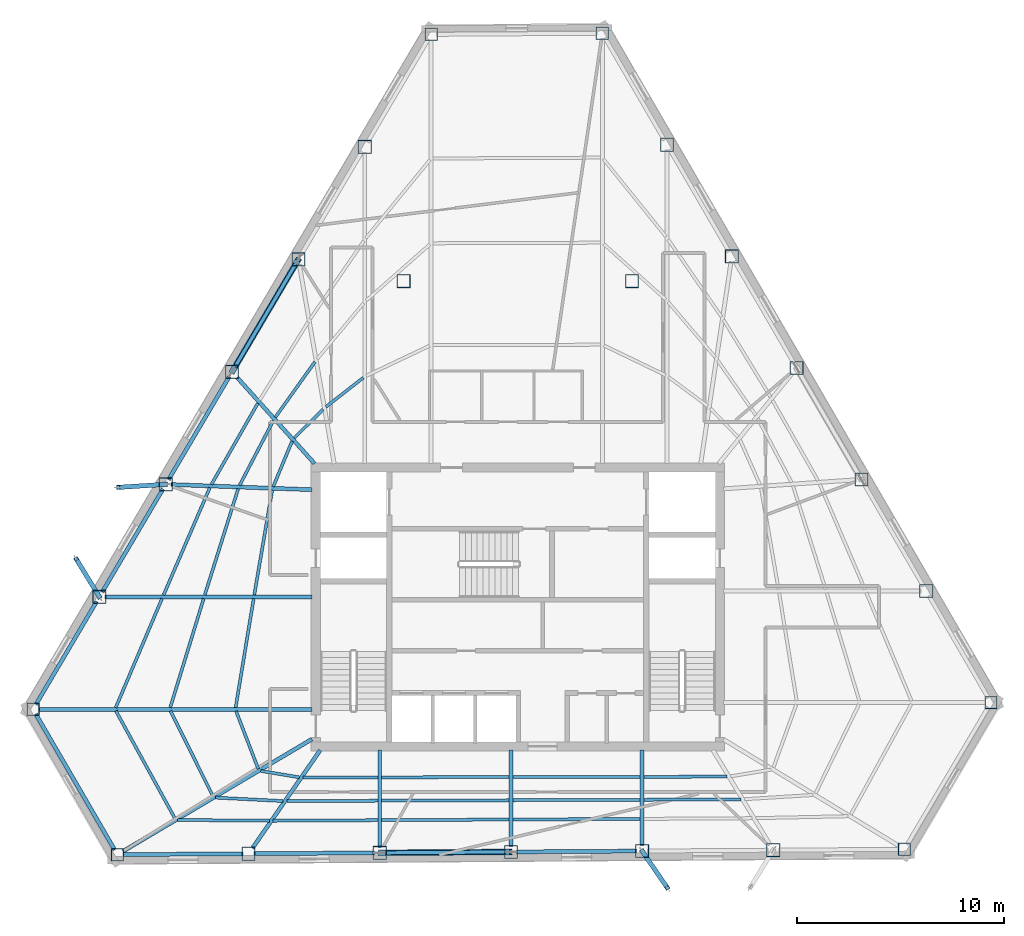
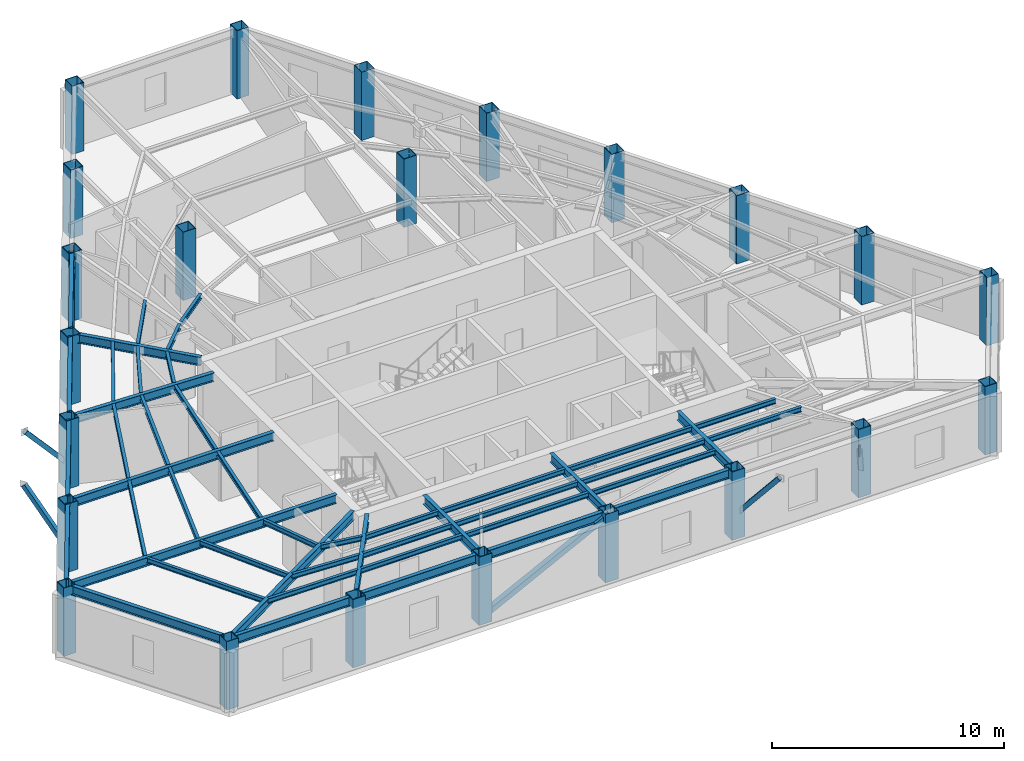
# One storey, part 1 of 10: 47 beams, 23 columns, 5 members.
"""IFC4 building model written with IfcOpenShell, lengths in metres."""

from ifc_helpers import new_model, si_unit, direction, frame, origin, origin_2d, place, context, subcontext, project, spatial, hollow_rectangle, i_section, extrude, material, material_profile, profile_set, type_object, element, save


model = new_model("IFC4")

# Units and contexts
model_context = context("Model", 3, precision=1e-05, world=origin(), true_north=direction((0.0, 1.0)))
body_context = subcontext(model_context, "Body", "Model", "MODEL_VIEW")
ifc_project = project(units=[si_unit("LENGTHUNIT", "METRE"), si_unit("AREAUNIT", "SQUARE_METRE"), si_unit("VOLUMEUNIT", "CUBIC_METRE"), si_unit("PLANEANGLEUNIT", "RADIAN"), si_unit("MASSUNIT", "GRAM", prefix="KILO")], contexts=[model_context])

# Site, building, storey
site_placement = place(None, origin())
site = spatial("IfcSite", under=ifc_project, at=site_placement, CompositionType="ELEMENT")
building_placement = place(site_placement, origin())
building = spatial("IfcBuilding", under=site, at=building_placement, Name="Kavelnor Concourse Tower", CompositionType="ELEMENT")
storey_placement = place(building_placement, frame((0.0, 0.0, 211.199951171875)))
storey = spatial("IfcBuildingStorey", under=building, at=storey_placement, Name="L53", CompositionType="ELEMENT", Elevation=211.199951171875)

# Columns
ifc_material = material(Name="Steel Grade 350", Category="steel")
ifc_material_profile_1 = material_profile(ifc_material, hollow_rectangle(XDim=0.60009765625, YDim=0.60009765625, WallThickness=0.028076171875, at=origin_2d()), Name="SHS 600x600x28")
ifc_profile_set_1 = profile_set([ifc_material_profile_1], Name="Steel Grade 350")
column_type_1 = type_object("IfcColumnType", Name="COL-FOLD-Z3", PredefinedType="COLUMN", material=ifc_profile_set_1)
for number, where, z_axis, x_axis, name in (
    (1, (33.823486328125, 43.693115234375, 0.0), (0.0, 0.0, 1.0), (1.0, 0.0, 0.0), "L53 Perimeter Corner-Fold Column F0-B0"),
    (2, (14.63671875, 11.1650390625, 0.0), (0.0, 0.0, 1.0), (1.0, 0.0, 0.0), "L53 Perimeter Corner-Fold Column F0-B6"),
    (3, (18.70361328125, 4.16162109375, 0.0), (0.0, 0.0, 1.0), (1.0, 0.0, 0.0), "L53 Perimeter Corner-Fold Column F1-B0"),
    (4, (56.635498046875, 4.41943359375, 0.0), (0.0, 0.0, 1.0), (1.0, 0.0, 0.0), "L53 Perimeter Corner-Fold Column F1-B6"),
    (5, (60.806396484375, 11.490478515625, 0.0), (0.0, 0.0, 1.0), (1.0, 0.0, 0.0), "L53 Perimeter Corner-Fold Column F2-B0"),
    (6, (42.072998046875, 43.7490234375, 0.0), (0.0, 0.0, 1.0), (1.0, 0.0, 0.0), "L53 Perimeter Corner-Fold Column F2-B6"),
):
    element("IfcColumn", number, at=place(storey_placement, frame(where, z_axis=z_axis, x_axis=x_axis)), inside=storey, type_object=column_type_1, Name=name, PredefinedType="COLUMN", context=body_context, shape_type="SweptSolid", body=[
        extrude(hollow_rectangle(XDim=0.60009765625, YDim=0.60009765625, WallThickness=0.028076171875, at=origin_2d()), origin(), (0.0, 0.0, 1.0), 3.60009765625),
    ])
ifc_material_profile_2 = material_profile(ifc_material, hollow_rectangle(XDim=0.639892578125, YDim=0.639892578125, WallThickness=0.028076171875, at=origin_2d()), Name="SHS 640x640x28")
ifc_profile_set_2 = profile_set([ifc_material_profile_2], Name="Steel Grade 350")
column_type_2 = type_object("IfcColumnType", Name="COL-TUBE-Z3", PredefinedType="COLUMN", material=ifc_profile_set_2)
for number, where, z_axis, x_axis, name in (
    (7, (30.62548828125, 38.271728515625, 0.0), (0.0, 0.0, 1.0), (1.0, 0.0, 0.0), "L53 Perimeter Framed-Tube Column F0-B1"),
    (8, (27.427734375, 32.850341796875, 0.0), (0.0, 0.0, 1.0), (1.0, 0.0, 0.0), "L53 Perimeter Framed-Tube Column F0-B2"),
    (9, (24.22998046875, 27.42919921875, 0.0), (0.0, 0.0, 1.0), (1.0, 0.0, 0.0), "L53 Perimeter Framed-Tube Column F0-B3"),
    (10, (21.0322265625, 22.0078125, 0.0), (0.0, 0.0, 1.0), (1.0, 0.0, 0.0), "L53 Perimeter Framed-Tube Column F0-B4"),
    (11, (17.83447265625, 16.58642578125, 0.0), (0.0, 0.0, 1.0), (1.0, 0.0, 0.0), "L53 Perimeter Framed-Tube Column F0-B5"),
    (12, (25.025634765625, 4.20458984375, 0.0), (0.0, 0.0, 1.0), (1.0, 0.0, 0.0), "L53 Perimeter Framed-Tube Column F1-B1"),
    (13, (31.34765625, 4.24755859375, 0.0), (0.0, 0.0, 1.0), (1.0, 0.0, 0.0), "L53 Perimeter Framed-Tube Column F1-B2"),
    (14, (37.669677734375, 4.290283203125, 0.0), (0.0, 0.0, 1.0), (1.0, 0.0, 0.0), "L53 Perimeter Framed-Tube Column F1-B3"),
    (15, (43.99169921875, 4.33349609375, 0.0), (0.0, 0.0, 1.0), (1.0, 0.0, 0.0), "L53 Perimeter Framed-Tube Column F1-B4"),
    (16, (50.313720703125, 4.37646484375, 0.0), (0.0, 0.0, 1.0), (1.0, 0.0, 0.0), "L53 Perimeter Framed-Tube Column F1-B5"),
    (17, (57.68408203125, 16.866943359375, 0.0), (0.0, 0.0, 1.0), (1.0, 0.0, 0.0), "L53 Perimeter Framed-Tube Column F2-B1"),
    (18, (54.56201171875, 22.243408203125, 0.0), (0.0, 0.0, 1.0), (1.0, 0.0, 0.0), "L53 Perimeter Framed-Tube Column F2-B2"),
    (19, (51.439697265625, 27.619873046875, 0.0), (0.0, 0.0, 1.0), (1.0, 0.0, 0.0), "L53 Perimeter Framed-Tube Column F2-B3"),
    (20, (48.3173828125, 32.99609375, 0.0), (0.0, 0.0, 1.0), (1.0, 0.0, 0.0), "L53 Perimeter Framed-Tube Column F2-B4"),
    (21, (45.195068359375, 38.372802734375, 0.0), (0.0, 0.0, 1.0), (1.0, 0.0, 0.0), "L53 Perimeter Framed-Tube Column F2-B5"),
    (22, (32.5, 31.800048828125, 0.0), (0.0, 0.0, 1.0), (1.0, 0.0, 0.0), "L53 North Interior Gravity Column BC-NW"),
    (23, (43.5, 31.800048828125, 0.0), (0.0, 0.0, 1.0), (1.0, 0.0, 0.0), "L53 North Interior Gravity Column BC-NE"),
):
    element("IfcColumn", number, at=place(storey_placement, frame(where, z_axis=z_axis, x_axis=x_axis)), inside=storey, type_object=column_type_2, Name=name, PredefinedType="COLUMN", context=body_context, shape_type="SweptSolid", body=[
        extrude(hollow_rectangle(XDim=0.639892578125, YDim=0.639892578125, WallThickness=0.028076171875, at=origin_2d()), origin(), (0.0, 0.0, 1.0), 3.60009765625),
    ])

# Beams
ifc_material_profile_3 = material_profile(ifc_material, i_section(OverallWidth=0.14599609375, OverallDepth=0.256103515625, WebThickness=0.00634765625, FlangeThickness=0.010986328125, at=origin_2d()), Name="250UB37")
ifc_profile_set_3 = profile_set([ifc_material_profile_3], Name="Steel Grade 350")
beam_type_1 = type_object("IfcBeamType", Name="BM-JOIST-250", PredefinedType="JOIST", material=ifc_profile_set_3)
beam_1_placement = place(storey_placement, frame((24.420654296875, 11.08203125, 3.47216796875), z_axis=(0.359011944525, -0.933332965071, 0.0), x_axis=(0.933332965071, 0.359011944525, 0.0)))
element("IfcBeam", 24, at=beam_1_placement, inside=storey, type_object=beam_type_1, Name="L53 Secondary Composite Joist 01-1", PredefinedType="JOIST", context=body_context, shape_type="SweptSolid", body=[
    extrude(i_section(OverallWidth=0.14599609375, OverallDepth=0.256103515625, WebThickness=0.00634765625, FlangeThickness=0.010986328125, at=origin_2d()), origin(), (0.0, 0.0, 1.0), 2.98681640625),
])
beam_2_placement = place(storey_placement, frame((21.264404296875, 11.08544921875, 3.47216796875), z_axis=(0.44541777568, -0.895322849652, 0.0), x_axis=(0.895322849652, 0.44541777568, 0.0)))
element("IfcBeam", 25, at=beam_2_placement, inside=storey, type_object=beam_type_1, Name="L53 Secondary Composite Joist 01-2", PredefinedType="JOIST", context=body_context, shape_type="SweptSolid", body=[
    extrude(i_section(OverallWidth=0.14599609375, OverallDepth=0.256103515625, WebThickness=0.00634765625, FlangeThickness=0.010986328125, at=origin_2d()), origin(), (0.0, 0.0, 1.0), 4.5703125),
])
beam_3_placement = place(storey_placement, frame((18.630859375, 11.087158203125, 3.47216796875), z_axis=(0.481661682568, -0.87635724653, 0.0), x_axis=(0.87635724653, 0.481661682568, 0.0)))
element("IfcBeam", 26, at=beam_3_placement, inside=storey, type_object=beam_type_1, Name="L53 Secondary Composite Joist 01-3", PredefinedType="JOIST", context=body_context, shape_type="SweptSolid", body=[
    extrude(i_section(OverallWidth=0.14599609375, OverallDepth=0.256103515625, WebThickness=0.00634765625, FlangeThickness=0.010986328125, at=origin_2d()), origin(), (0.0, 0.0, 1.0), 5.906494140625),
])
beam_4_placement = place(storey_placement, frame((25.61279296875, 8.196533203125, 3.47216796875), z_axis=(0.986320389312, -0.164839587562, 0.0), x_axis=(0.164839587562, 0.986320389312, 0.0)))
element("IfcBeam", 27, at=beam_4_placement, inside=storey, type_object=beam_type_1, Name="L53 Secondary Composite Joist 02-1", PredefinedType="JOIST", context=body_context, shape_type="SweptSolid", body=[
    extrude(i_section(OverallWidth=0.14599609375, OverallDepth=0.256103515625, WebThickness=0.00634765625, FlangeThickness=0.010986328125, at=origin_2d()), origin(), (0.0, 0.0, 1.0), 1.886962890625),
])
beam_5_placement = place(storey_placement, frame((23.4287109375, 6.909423828125, 3.47216796875), z_axis=(0.998690800157, -0.051153550045, 0.0), x_axis=(0.051153550045, 0.998690800157, 0.0)))
element("IfcBeam", 28, at=beam_5_placement, inside=storey, type_object=beam_type_1, Name="L53 Secondary Composite Joist 02-2", PredefinedType="JOIST", context=body_context, shape_type="SweptSolid", body=[
    extrude(i_section(OverallWidth=0.14599609375, OverallDepth=0.256103515625, WebThickness=0.00634765625, FlangeThickness=0.010986328125, at=origin_2d()), origin(), (0.0, 0.0, 1.0), 3.2646484375),
])
beam_6_placement = place(storey_placement, frame((21.607666015625, 5.83203125, 3.47216796875), z_axis=(0.999963484378, -0.008545753988, 0.0), x_axis=(0.008545753988, 0.999963484378, 0.0)))
element("IfcBeam", 29, at=beam_6_placement, inside=storey, type_object=beam_type_1, Name="L53 Secondary Composite Joist 02-3", PredefinedType="JOIST", context=body_context, shape_type="SweptSolid", body=[
    extrude(i_section(OverallWidth=0.14599609375, OverallDepth=0.256103515625, WebThickness=0.00634765625, FlangeThickness=0.010986328125, at=origin_2d()), origin(), (0.0, 0.0, 1.0), 4.42822265625),
])
beam_7_placement = place(storey_placement, frame((27.650634765625, 7.871337890625, 3.47216796875), z_axis=(0.99999203146, 0.003992119213, 0.0), x_axis=(-0.003992119213, 0.99999203146, 0.0)))
element("IfcBeam", 30, at=beam_7_placement, inside=storey, type_object=beam_type_1, Name="L53 Secondary Composite Joist 03-1", PredefinedType="JOIST", context=body_context, shape_type="SweptSolid", body=[
    extrude(i_section(OverallWidth=0.14599609375, OverallDepth=0.256103515625, WebThickness=0.00634765625, FlangeThickness=0.010986328125, at=origin_2d()), origin(), (0.0, 0.0, 1.0), 3.608154296875),
])
beam_8_placement = place(storey_placement, frame((26.86669921875, 6.73828125, 3.47216796875), z_axis=(0.99998830666, 0.004835963462, 0.0), x_axis=(-0.004835963462, 0.99998830666, 0.0)))
element("IfcBeam", 31, at=beam_8_placement, inside=storey, type_object=beam_type_1, Name="L53 Secondary Composite Joist 03-2", PredefinedType="JOIST", context=body_context, shape_type="SweptSolid", body=[
    extrude(i_section(OverallWidth=0.14599609375, OverallDepth=0.256103515625, WebThickness=0.00634765625, FlangeThickness=0.010986328125, at=origin_2d()), origin(), (0.0, 0.0, 1.0), 4.39208984375),
])
beam_9_placement = place(storey_placement, frame((26.213623046875, 5.7939453125, 3.47216796875), z_axis=(0.999985833084, 0.00532293451, 0.0), x_axis=(-0.00532293451, 0.999985833084, 0.0)))
element("IfcBeam", 32, at=beam_9_placement, inside=storey, type_object=beam_type_1, Name="L53 Secondary Composite Joist 03-3", PredefinedType="JOIST", context=body_context, shape_type="SweptSolid", body=[
    extrude(i_section(OverallWidth=0.14599609375, OverallDepth=0.256103515625, WebThickness=0.00634765625, FlangeThickness=0.010986328125, at=origin_2d()), origin(), (0.0, 0.0, 1.0), 5.045166015625),
])
for number, where, z_axis, x_axis, name in (
    (33, (31.436767578125, 7.88623046875, 3.47216796875), (0.999998181041, 0.001907331824, 0.0), (-0.001907331824, 0.999998181041, 0.0), "L53 Secondary Composite Joist 04-1"),
    (34, (31.436767578125, 6.76025390625, 3.47216796875), (0.999993746581, 0.003536495408, 0.0), (-0.003536495408, 0.999993746581, 0.0), "L53 Secondary Composite Joist 04-2"),
    (35, (31.436767578125, 5.82177734375, 3.47216796875), (0.999988056158, 0.004887488314, 0.0), (-0.004887488314, 0.999988056158, 0.0), "L53 Secondary Composite Joist 04-3"),
):
    element("IfcBeam", number, at=place(storey_placement, frame(where, z_axis=z_axis, x_axis=x_axis)), inside=storey, type_object=beam_type_1, Name=name, PredefinedType="JOIST", context=body_context, shape_type="SweptSolid", body=[
        extrude(i_section(OverallWidth=0.14599609375, OverallDepth=0.256103515625, WebThickness=0.00634765625, FlangeThickness=0.010986328125, at=origin_2d()), origin(), (0.0, 0.0, 1.0), 6.14404296875),
    ])
for number, where, z_axis, x_axis, name in (
    (36, (37.7587890625, 7.898193359375, 3.47216796875), (0.999998180896, 0.001907407617, 0.0), (-0.001907407617, 0.999998180896, 0.0), "L53 Secondary Composite Joist 05-1"),
    (37, (37.7587890625, 6.782470703125, 3.47216796875), (0.999993746084, 0.003536635939, 0.0), (-0.003536635939, 0.999993746084, 0.0), "L53 Secondary Composite Joist 05-2"),
    (38, (37.7587890625, 5.852783203125, 3.47216796875), (0.999988055208, 0.004887682527, 0.0), (-0.004887682527, 0.999988055208, 0.0), "L53 Secondary Composite Joist 05-3"),
):
    element("IfcBeam", number, at=place(storey_placement, frame(where, z_axis=z_axis, x_axis=x_axis)), inside=storey, type_object=beam_type_1, Name=name, PredefinedType="JOIST", context=body_context, shape_type="SweptSolid", body=[
        extrude(i_section(OverallWidth=0.14599609375, OverallDepth=0.256103515625, WebThickness=0.00634765625, FlangeThickness=0.010986328125, at=origin_2d()), origin(), (0.0, 0.0, 1.0), 6.143798828125),
    ])
beam_10_placement = place(storey_placement, frame((44.08056640625, 7.910400390625, 3.47216796875), z_axis=(0.999997458742, 0.002254442236, 0.0), x_axis=(-0.002254442236, 0.999997458742, 0.0)))
element("IfcBeam", 39, at=beam_10_placement, inside=storey, type_object=beam_type_1, Name="L53 Secondary Composite Joist 06-1", PredefinedType="JOIST", context=body_context, shape_type="SweptSolid", body=[
    extrude(i_section(OverallWidth=0.14599609375, OverallDepth=0.256103515625, WebThickness=0.00634765625, FlangeThickness=0.010986328125, at=origin_2d()), origin(), (0.0, 0.0, 1.0), 4.0068359375),
])
beam_11_placement = place(storey_placement, frame((44.08056640625, 6.804931640625, 3.47216796875), z_axis=(0.999989156334, 0.004656953321, 0.0), x_axis=(-0.004656953321, 0.999989156334, 0.0)))
element("IfcBeam", 40, at=beam_11_placement, inside=storey, type_object=beam_type_1, Name="L53 Secondary Composite Joist 06-2", PredefinedType="JOIST", context=body_context, shape_type="SweptSolid", body=[
    extrude(i_section(OverallWidth=0.14599609375, OverallDepth=0.256103515625, WebThickness=0.00634765625, FlangeThickness=0.010986328125, at=origin_2d()), origin(), (0.0, 0.0, 1.0), 4.665771484375),
])
beam_12_placement = place(storey_placement, frame((30.555419921875, 27.1484375, 3.47216796875), z_axis=(-0.788155414532, -0.615476272933, 0.0), x_axis=(0.615476272933, -0.788155414532, 0.0)))
element("IfcBeam", 41, at=beam_12_placement, inside=storey, type_object=beam_type_1, Name="L53 Secondary Composite Joist 17-1", PredefinedType="JOIST", context=body_context, shape_type="SweptSolid", body=[
    extrude(i_section(OverallWidth=0.14599609375, OverallDepth=0.256103515625, WebThickness=0.00634765625, FlangeThickness=0.010986328125, at=origin_2d()), origin(), (0.0, 0.0, 1.0), 2.28759765625),
])
beam_13_placement = place(storey_placement, frame((28.619140625, 25.622802734375, 3.47216796875), z_axis=(-0.709580889898, -0.704623985323, 0.0), x_axis=(0.704623985323, -0.709580889898, 0.0)))
element("IfcBeam", 42, at=beam_13_placement, inside=storey, type_object=beam_type_1, Name="L53 Secondary Composite Joist 18-1", PredefinedType="JOIST", context=body_context, shape_type="SweptSolid", body=[
    extrude(i_section(OverallWidth=0.14599609375, OverallDepth=0.256103515625, WebThickness=0.00634765625, FlangeThickness=0.010986328125, at=origin_2d()), origin(), (0.0, 0.0, 1.0), 1.97021484375),
])
beam_14_placement = place(storey_placement, frame((28.2275390625, 27.91455078125, 3.47216796875), z_axis=(-0.581729726963, -0.813382151739, 0.0), x_axis=(0.813382151739, -0.581729726963, 0.0)))
element("IfcBeam", 43, at=beam_14_placement, inside=storey, type_object=beam_type_1, Name="L53 Secondary Composite Joist 18-2", PredefinedType="JOIST", context=body_context, shape_type="SweptSolid", body=[
    extrude(i_section(OverallWidth=0.14599609375, OverallDepth=0.256103515625, WebThickness=0.00634765625, FlangeThickness=0.010986328125, at=origin_2d()), origin(), (0.0, 0.0, 1.0), 3.2880859375),
])
beam_15_placement = place(storey_placement, frame((27.123779296875, 24.089599609375, 3.47216796875), z_axis=(-0.383854894485, -0.923393426433, 0.0), x_axis=(0.923393426433, -0.383854894485, 0.0)))
element("IfcBeam", 44, at=beam_15_placement, inside=storey, type_object=beam_type_1, Name="L53 Secondary Composite Joist 19-1", PredefinedType="JOIST", context=body_context, shape_type="SweptSolid", body=[
    extrude(i_section(OverallWidth=0.14599609375, OverallDepth=0.256103515625, WebThickness=0.00634765625, FlangeThickness=0.010986328125, at=origin_2d()), origin(), (0.0, 0.0, 1.0), 2.37109375),
])
beam_16_placement = place(storey_placement, frame((26.221923828125, 25.088623046875, 3.47216796875), z_axis=(-0.461812037546, -0.88697781369, 0.0), x_axis=(0.88697781369, -0.461812037546, 0.0)))
element("IfcBeam", 45, at=beam_16_placement, inside=storey, type_object=beam_type_1, Name="L53 Secondary Composite Joist 19-2", PredefinedType="JOIST", context=body_context, shape_type="SweptSolid", body=[
    extrude(i_section(OverallWidth=0.14599609375, OverallDepth=0.256103515625, WebThickness=0.00634765625, FlangeThickness=0.010986328125, at=origin_2d()), origin(), (0.0, 0.0, 1.0), 3.531005859375),
])
beam_17_placement = place(storey_placement, frame((25.472900390625, 25.919921875, 3.47216796875), z_axis=(-0.496004794897, -0.868319781785, 0.0), x_axis=(0.868319781785, -0.496004794897, 0.0)))
element("IfcBeam", 46, at=beam_17_placement, inside=storey, type_object=beam_type_1, Name="L53 Secondary Composite Joist 19-3", PredefinedType="JOIST", context=body_context, shape_type="SweptSolid", body=[
    extrude(i_section(OverallWidth=0.14599609375, OverallDepth=0.256103515625, WebThickness=0.00634765625, FlangeThickness=0.010986328125, at=origin_2d()), origin(), (0.0, 0.0, 1.0), 4.50830078125),
])
beam_18_placement = place(storey_placement, frame((26.164306640625, 21.730224609375, 3.47216796875), z_axis=(-0.168673186109, -0.985672032822, 0.0), x_axis=(0.985672032822, -0.168673186109, 0.0)))
element("IfcBeam", 47, at=beam_18_placement, inside=storey, type_object=beam_type_1, Name="L53 Secondary Composite Joist 20-1", PredefinedType="JOIST", context=body_context, shape_type="SweptSolid", body=[
    extrude(i_section(OverallWidth=0.14599609375, OverallDepth=0.256103515625, WebThickness=0.00634765625, FlangeThickness=0.010986328125, at=origin_2d()), origin(), (0.0, 0.0, 1.0), 5.129638671875),
])
beam_19_placement = place(storey_placement, frame((24.523681640625, 21.793212890625, 3.47216796875), z_axis=(-0.299768654907, -0.954011925258, 0.0), x_axis=(0.954011925258, -0.299768654907, 0.0)))
element("IfcBeam", 48, at=beam_19_placement, inside=storey, type_object=beam_type_1, Name="L53 Secondary Composite Joist 20-2", PredefinedType="JOIST", context=body_context, shape_type="SweptSolid", body=[
    extrude(i_section(OverallWidth=0.14599609375, OverallDepth=0.256103515625, WebThickness=0.00634765625, FlangeThickness=0.010986328125, at=origin_2d()), origin(), (0.0, 0.0, 1.0), 5.36865234375),
])
beam_20_placement = place(storey_placement, frame((23.15771484375, 21.84619140625, 3.47216796875), z_axis=(-0.395872786145, -0.918305361625, 0.0), x_axis=(0.918305361625, -0.395872786145, 0.0)))
element("IfcBeam", 49, at=beam_20_placement, inside=storey, type_object=beam_type_1, Name="L53 Secondary Composite Joist 20-3", PredefinedType="JOIST", context=body_context, shape_type="SweptSolid", body=[
    extrude(i_section(OverallWidth=0.14599609375, OverallDepth=0.256103515625, WebThickness=0.00634765625, FlangeThickness=0.010986328125, at=origin_2d()), origin(), (0.0, 0.0, 1.0), 5.638671875),
])
beam_21_placement = place(storey_placement, frame((25.26953125, 16.49853515625, 3.47216796875), z_axis=(-0.16292439718, -0.986638556313, 0.0), x_axis=(0.986638556313, -0.16292439718, 0.0)))
element("IfcBeam", 50, at=beam_21_placement, inside=storey, type_object=beam_type_1, Name="L53 Secondary Composite Joist 21-1", PredefinedType="JOIST", context=body_context, shape_type="SweptSolid", body=[
    extrude(i_section(OverallWidth=0.14599609375, OverallDepth=0.256103515625, WebThickness=0.00634765625, FlangeThickness=0.010986328125, at=origin_2d()), origin(), (0.0, 0.0, 1.0), 5.316650390625),
])
beam_22_placement = place(storey_placement, frame((22.861328125, 16.501220703125, 3.47216796875), z_axis=(-0.293239253824, -0.956039089168, 0.0), x_axis=(0.956039089168, -0.293239253824, 0.0)))
element("IfcBeam", 51, at=beam_22_placement, inside=storey, type_object=beam_type_1, Name="L53 Secondary Composite Joist 21-2", PredefinedType="JOIST", context=body_context, shape_type="SweptSolid", body=[
    extrude(i_section(OverallWidth=0.14599609375, OverallDepth=0.256103515625, WebThickness=0.00634765625, FlangeThickness=0.010986328125, at=origin_2d()), origin(), (0.0, 0.0, 1.0), 5.492431640625),
])
beam_23_placement = place(storey_placement, frame((20.855712890625, 16.50439453125, 3.47216796875), z_axis=(-0.390925218827, -0.920422442841, 0.0), x_axis=(0.920422442841, -0.390925218827, 0.0)))
element("IfcBeam", 52, at=beam_23_placement, inside=storey, type_object=beam_type_1, Name="L53 Secondary Composite Joist 21-3", PredefinedType="JOIST", context=body_context, shape_type="SweptSolid", body=[
    extrude(i_section(OverallWidth=0.14599609375, OverallDepth=0.256103515625, WebThickness=0.00634765625, FlangeThickness=0.010986328125, at=origin_2d()), origin(), (0.0, 0.0, 1.0), 5.7119140625),
])
ifc_material_profile_4 = material_profile(ifc_material, i_section(OverallWidth=0.18994140625, OverallDepth=0.4541015625, WebThickness=0.008544921875, FlangeThickness=0.0126953125, at=origin_2d()), Name="460UB67")
ifc_profile_set_4 = profile_set([ifc_material_profile_4], Name="Steel Grade 350")
beam_type_2 = type_object("IfcBeamType", Name="BM-PRIMARY-460", PredefinedType="BEAM", material=ifc_profile_set_4)
beam_24_placement = place(storey_placement, frame((28.2021484375, 23.01025390625, 3.373046875), z_axis=(-0.668534207991, 0.743681391959, 0.0), x_axis=(-0.743681391959, -0.668534207991, 0.0)))
element("IfcBeam", 53, at=beam_24_placement, inside=storey, type_object=beam_type_2, Name="L53 Primary Floor Girder F0-B3", PredefinedType="BEAM", context=body_context, shape_type="SweptSolid", body=[
    extrude(i_section(OverallWidth=0.18994140625, OverallDepth=0.4541015625, WebThickness=0.008544921875, FlangeThickness=0.0126953125, at=origin_2d()), origin(), (0.0, 0.0, 1.0), 5.578125),
])
beam_25_placement = place(storey_placement, frame((28.080078125, 21.747802734375, 3.373046875), z_axis=(-0.9993211216, 0.036841497307, 0.0), x_axis=(-0.036841497307, -0.9993211216, 0.0)))
element("IfcBeam", 54, at=beam_25_placement, inside=storey, type_object=beam_type_2, Name="L53 Primary Floor Girder F0-B4", PredefinedType="BEAM", context=body_context, shape_type="SweptSolid", body=[
    extrude(i_section(OverallWidth=0.18994140625, OverallDepth=0.4541015625, WebThickness=0.008544921875, FlangeThickness=0.0126953125, at=origin_2d()), origin(), (0.0, 0.0, 1.0), 6.79248046875),
])
beam_26_placement = place(storey_placement, frame((28.080078125, 16.58642578125, 3.373046875), z_axis=(-1.0, 0.0, 0.0), x_axis=(0.0, -1.0, 0.0)))
element("IfcBeam", 55, at=beam_26_placement, inside=storey, type_object=beam_type_2, Name="L53 Primary Floor Girder F0-B5", PredefinedType="BEAM", context=body_context, shape_type="SweptSolid", body=[
    extrude(i_section(OverallWidth=0.18994140625, OverallDepth=0.4541015625, WebThickness=0.008544921875, FlangeThickness=0.0126953125, at=origin_2d()), origin(), (0.0, 0.0, 1.0), 9.985595703125),
])
beam_27_placement = place(storey_placement, frame((28.080078125, 11.1650390625, 3.373046875), z_axis=(-1.0, 0.0, 0.0), x_axis=(0.0, -1.0, 0.0)))
element("IfcBeam", 56, at=beam_27_placement, inside=storey, type_object=beam_type_2, Name="L53 Primary Floor Girder F0-B6", PredefinedType="BEAM", context=body_context, shape_type="SweptSolid", body=[
    extrude(i_section(OverallWidth=0.18994140625, OverallDepth=0.4541015625, WebThickness=0.008544921875, FlangeThickness=0.0126953125, at=origin_2d()), origin(), (0.0, 0.0, 1.0), 13.18359375),
])
beam_28_placement = place(storey_placement, frame((28.074462890625, 9.724853515625, 3.373046875), z_axis=(-0.859874037032, -0.510506258961, 0.0), x_axis=(0.510506258961, -0.859874037032, 0.0)))
element("IfcBeam", 57, at=beam_28_placement, inside=storey, type_object=beam_type_2, Name="L53 Primary Floor Girder F1-B0", PredefinedType="BEAM", context=body_context, shape_type="SweptSolid", body=[
    extrude(i_section(OverallWidth=0.18994140625, OverallDepth=0.4541015625, WebThickness=0.008544921875, FlangeThickness=0.0126953125, at=origin_2d()), origin(), (0.0, 0.0, 1.0), 10.589111328125),
])
beam_29_placement = place(storey_placement, frame((28.475830078125, 9.19287109375, 3.373046875), z_axis=(-0.568840589687, -0.822447799878, 0.0), x_axis=(0.822447799878, -0.568840589687, 0.0)))
element("IfcBeam", 58, at=beam_29_placement, inside=storey, type_object=beam_type_2, Name="L53 Primary Floor Girder F1-B1", PredefinedType="BEAM", context=body_context, shape_type="SweptSolid", body=[
    extrude(i_section(OverallWidth=0.18994140625, OverallDepth=0.4541015625, WebThickness=0.008544921875, FlangeThickness=0.0126953125, at=origin_2d()), origin(), (0.0, 0.0, 1.0), 5.740478515625),
])
beam_30_placement = place(storey_placement, frame((31.34765625, 9.199951171875, 3.373046875), z_axis=(0.0, -1.0, 0.0), x_axis=(1.0, 0.0, 0.0)))
element("IfcBeam", 59, at=beam_30_placement, inside=storey, type_object=beam_type_2, Name="L53 Primary Floor Girder F1-B2", PredefinedType="BEAM", context=body_context, shape_type="SweptSolid", body=[
    extrude(i_section(OverallWidth=0.18994140625, OverallDepth=0.4541015625, WebThickness=0.008544921875, FlangeThickness=0.0126953125, at=origin_2d()), origin(), (0.0, 0.0, 1.0), 4.6923828125),
])
beam_31_placement = place(storey_placement, frame((37.669677734375, 9.199951171875, 3.373046875), z_axis=(0.0, -1.0, 0.0), x_axis=(1.0, 0.0, 0.0)))
element("IfcBeam", 60, at=beam_31_placement, inside=storey, type_object=beam_type_2, Name="L53 Primary Floor Girder F1-B3", PredefinedType="BEAM", context=body_context, shape_type="SweptSolid", body=[
    extrude(i_section(OverallWidth=0.18994140625, OverallDepth=0.4541015625, WebThickness=0.008544921875, FlangeThickness=0.0126953125, at=origin_2d()), origin(), (0.0, 0.0, 1.0), 4.649658203125),
])
beam_32_placement = place(storey_placement, frame((43.99169921875, 9.199951171875, 3.373046875), z_axis=(0.0, -1.0, 0.0), x_axis=(1.0, 0.0, 0.0)))
element("IfcBeam", 61, at=beam_32_placement, inside=storey, type_object=beam_type_2, Name="L53 Primary Floor Girder F1-B4", PredefinedType="BEAM", context=body_context, shape_type="SweptSolid", body=[
    extrude(i_section(OverallWidth=0.18994140625, OverallDepth=0.4541015625, WebThickness=0.008544921875, FlangeThickness=0.0126953125, at=origin_2d()), origin(), (0.0, 0.0, 1.0), 4.6064453125),
])
ifc_material_profile_5 = material_profile(ifc_material, i_section(OverallWidth=0.19091796875, OverallDepth=0.4599609375, WebThickness=0.010009765625, FlangeThickness=0.01611328125, at=origin_2d()), Name="460UB82")
ifc_profile_set_5 = profile_set([ifc_material_profile_5], Name="Steel Grade 350")
beam_type_3 = type_object("IfcBeamType", Name="BM-SPANDREL-Z3", PredefinedType="SPANDREL", material=ifc_profile_set_5)
for number, where, z_axis, x_axis, name in (
    (62, (27.293212890625, 32.6220703125, 3.3701171875), (-0.508097020218, -0.861299842125, 0.0), (0.861299842125, -0.508097020218, 0.0), "L53 Perimeter Tube Spandrel Beam F0-B2"),
    (63, (24.095458984375, 27.20068359375, 3.3701171875), (-0.508097020218, -0.861299842125, 0.0), (0.861299842125, -0.508097020218, 0.0), "L53 Perimeter Tube Spandrel Beam F0-B3"),
    (64, (20.897705078125, 21.779296875, 3.3701171875), (-0.508097020218, -0.861299842125, 0.0), (0.861299842125, -0.508097020218, 0.0), "L53 Perimeter Tube Spandrel Beam F0-B4"),
    (65, (17.69970703125, 16.358154296875, 3.3701171875), (-0.508047063394, -0.861329310645, 0.0), (0.861329310645, -0.508047063394, 0.0), "L53 Perimeter Tube Spandrel Beam F0-B5"),
):
    element("IfcBeam", number, at=place(storey_placement, frame(where, z_axis=z_axis, x_axis=x_axis)), inside=storey, type_object=beam_type_3, Name=name, PredefinedType="SPANDREL", context=body_context, shape_type="SweptSolid", body=[
        extrude(i_section(OverallWidth=0.19091796875, OverallDepth=0.4599609375, WebThickness=0.010009765625, FlangeThickness=0.01611328125, at=origin_2d()), origin(), (0.0, 0.0, 1.0), 5.76416015625),
    ])
for number, where, z_axis, x_axis, name in (
    (66, (18.96875, 4.163330078125, 3.3701171875), (0.999976973341, 0.006786220397, 0.0), (-0.006786220397, 0.999976973341, 0.0), "L53 Perimeter Tube Spandrel Beam F1-B0"),
    (67, (25.290771484375, 4.206298828125, 3.3701171875), (0.999976973341, 0.006786220397, 0.0), (-0.006786220397, 0.999976973341, 0.0), "L53 Perimeter Tube Spandrel Beam F1-B1"),
    (68, (31.61279296875, 4.249267578125, 3.3701171875), (0.999976973341, 0.006786220397, 0.0), (-0.006786220397, 0.999976973341, 0.0), "L53 Perimeter Tube Spandrel Beam F1-B2"),
):
    element("IfcBeam", number, at=place(storey_placement, frame(where, z_axis=z_axis, x_axis=x_axis)), inside=storey, type_object=beam_type_3, Name=name, PredefinedType="SPANDREL", context=body_context, shape_type="SweptSolid", body=[
        extrude(i_section(OverallWidth=0.19091796875, OverallDepth=0.4599609375, WebThickness=0.010009765625, FlangeThickness=0.01611328125, at=origin_2d()), origin(), (0.0, 0.0, 1.0), 5.792236328125),
    ])
beam_33_placement = place(storey_placement, frame((37.934814453125, 4.292236328125, 3.3701171875), z_axis=(0.9999769714, 0.006786506445, 0.0), x_axis=(-0.006786506445, 0.9999769714, 0.0)))
element("IfcBeam", 69, at=beam_33_placement, inside=storey, type_object=beam_type_3, Name="L53 Perimeter Tube Spandrel Beam F1-B3", PredefinedType="SPANDREL", context=body_context, shape_type="SweptSolid", body=[
    extrude(i_section(OverallWidth=0.19091796875, OverallDepth=0.4599609375, WebThickness=0.010009765625, FlangeThickness=0.01611328125, at=origin_2d()), origin(), (0.0, 0.0, 1.0), 5.7919921875),
])
beam_34_placement = place(storey_placement, frame((14.769775390625, 10.935791015625, 3.3701171875), z_axis=(0.502171313037, -0.864768161048, 0.0), x_axis=(0.864768161048, 0.502171313037, 0.0)))
element("IfcBeam", 70, at=beam_34_placement, inside=storey, type_object=beam_type_3, Name="L53 Chamfer Facet Spandrel Beam C1", PredefinedType="SPANDREL", context=body_context, shape_type="SweptSolid", body=[
    extrude(i_section(OverallWidth=0.19091796875, OverallDepth=0.4599609375, WebThickness=0.010009765625, FlangeThickness=0.01611328125, at=origin_2d()), origin(), (0.0, 0.0, 1.0), 7.568603515625),
])

# Members
ifc_material_profile_6 = material_profile(ifc_material, hollow_rectangle(XDim=0.219970703125, YDim=0.219970703125, WallThickness=0.013916015625, at=origin_2d()), Name="SHS 220x220x14")
ifc_profile_set_6 = profile_set([ifc_material_profile_6], Name="Steel Grade 350")
member_type_1 = type_object("IfcMemberType", Name="MBR-BALC-STRUT-220", PredefinedType="STRUT", material=ifc_profile_set_6)
member_1_placement = place(storey_placement, frame((21.0322265625, 22.0078125, 1.050048828125), z_axis=(-0.659384656439, -0.042068923989, 0.750627790911), x_axis=(0.063670823733, -0.99797095459, 0.0)))
element("IfcMember", 71, at=member_1_placement, inside=storey, type_object=member_type_1, Name="L53 Tree Balcony Raking Knee Strut 1-A", PredefinedType="STRUT", context=body_context, shape_type="SweptSolid", body=[
    extrude(hollow_rectangle(XDim=0.219970703125, YDim=0.219970703125, WallThickness=0.013916015625, at=origin_2d()), origin(), (0.0, 0.0, 1.0), 3.470458984375),
])
member_2_placement = place(storey_placement, frame((17.83447265625, 16.58642578125, 1.050048828125), z_axis=(-0.33130814602, 0.541706195044, 0.772521398171), x_axis=(-0.853095760622, -0.52175437057, 0.0)))
element("IfcMember", 72, at=member_2_placement, inside=storey, type_object=member_type_1, Name="L53 Tree Balcony Raking Knee Strut 1-B", PredefinedType="STRUT", context=body_context, shape_type="SweptSolid", body=[
    extrude(hollow_rectangle(XDim=0.219970703125, YDim=0.219970703125, WallThickness=0.013916015625, at=origin_2d()), origin(), (0.0, 0.0, 1.0), 3.3720703125),
])
member_3_placement = place(storey_placement, frame((43.99169921875, 4.33349609375, 1.050048828125), z_axis=(0.360359357315, -0.525734693638, 0.770547964439), x_axis=(0.824834526744, 0.565374215446, 0.0)))
element("IfcMember", 73, at=member_3_placement, inside=storey, type_object=member_type_1, Name="L53 Tree Balcony Raking Knee Strut 2-A", PredefinedType="STRUT", context=body_context, shape_type="SweptSolid", body=[
    extrude(hollow_rectangle(XDim=0.219970703125, YDim=0.219970703125, WallThickness=0.013916015625, at=origin_2d()), origin(), (0.0, 0.0, 1.0), 3.380615234375),
])
ifc_material_profile_7 = material_profile(ifc_material, hollow_rectangle(XDim=0.280029296875, YDim=0.280029296875, WallThickness=0.01611328125, at=origin_2d()), Name="SHS 280x280x16")
ifc_profile_set_7 = profile_set([ifc_material_profile_7], Name="Steel Grade 350")
member_type_2 = type_object("IfcMemberType", Name="MBR-TUBE-DIAG-Z3", PredefinedType="BRACE", material=ifc_profile_set_7)
member_4_placement = place(storey_placement, frame((24.22998046875, 27.42919921875, 0.219970703125), z_axis=(0.454335326198, 0.770233311821, 0.447571286757), x_axis=(-0.861319333525, 0.508063977956, 0.0)))
element("IfcMember", 74, at=member_4_placement, inside=storey, type_object=member_type_2, Name="L53 Framed-Tube Bracing Diagonal F0-B2", PredefinedType="BRACE", context=body_context, shape_type="SweptSolid", body=[
    extrude(hollow_rectangle(XDim=0.280029296875, YDim=0.280029296875, WallThickness=0.01611328125, at=origin_2d()), origin(), (0.0, 0.0, 1.0), 7.038330078125),
])
member_5_placement = place(storey_placement, frame((31.34765625, 4.24755859375, 0.219970703125), z_axis=(0.895025215331, 0.006048635361, 0.445974526102), x_axis=(-0.006757907082, 0.999977165085, 0.0)))
element("IfcMember", 75, at=member_5_placement, inside=storey, type_object=member_type_2, Name="L53 Framed-Tube Bracing Diagonal F1-B2", PredefinedType="BRACE", context=body_context, shape_type="SweptSolid", body=[
    extrude(hollow_rectangle(XDim=0.280029296875, YDim=0.280029296875, WallThickness=0.01611328125, at=origin_2d()), origin(), (0.0, 0.0, 1.0), 7.0634765625),
])

save(model, "model.ifc")
